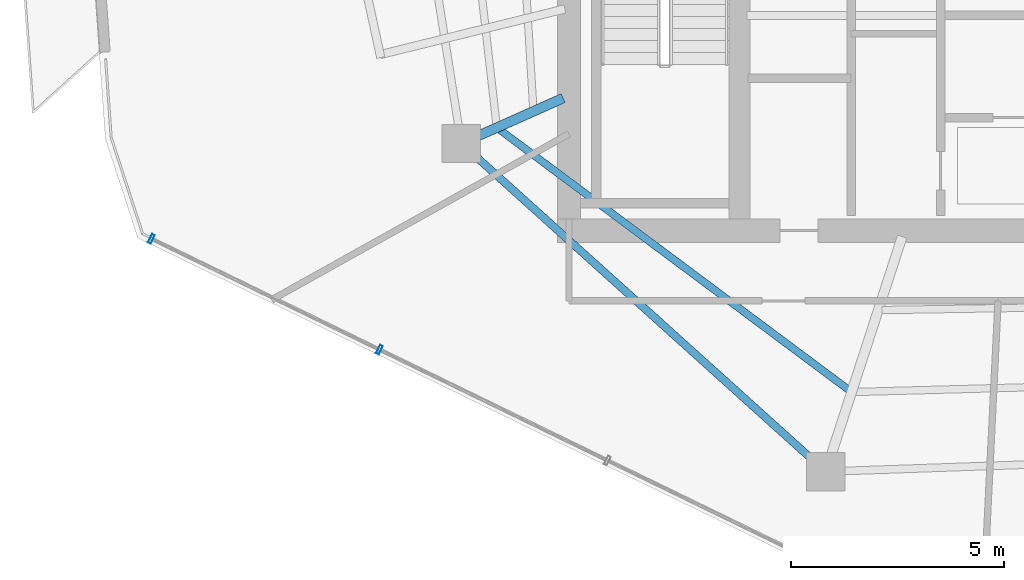
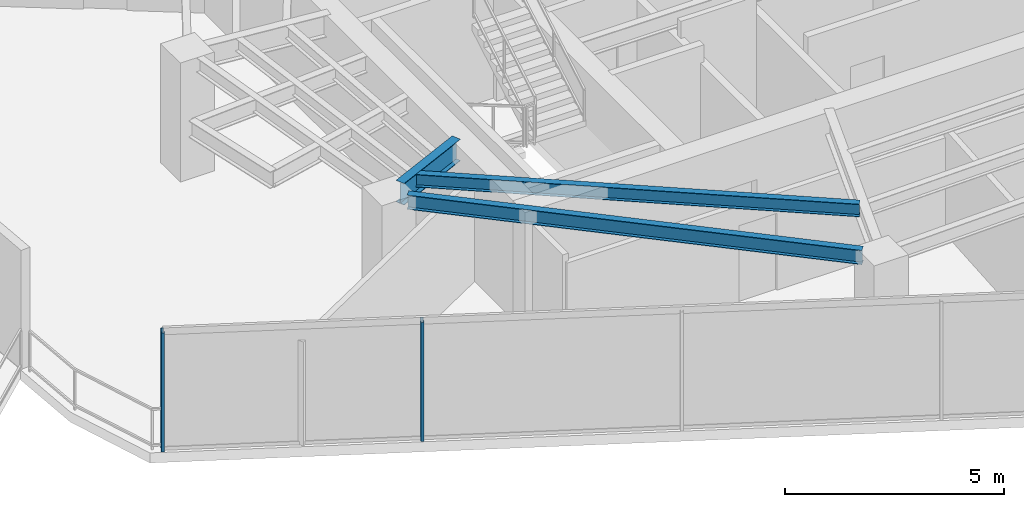
# One storey, part 4 of 20: 3 beams, 2 members, 1 element without a shape of its own.
"""IFC4 building model written with IfcOpenShell, lengths in metres."""

from ifc_helpers import new_model, si_unit, direction, frame, origin, origin_2d, place, context, subcontext, project, spatial, hollow_rectangle, i_section, extrude, material, layer, layer_set, material_profile, profile_set, type_object, element, aggregate, save


model = new_model("IFC4")

# Units and contexts
model_context = context("Model", 3, precision=1e-05, world=origin(), true_north=direction((0.0, 1.0)))
body_context = subcontext(model_context, "Body", "Model", "MODEL_VIEW")
ifc_project = project(units=[si_unit("LENGTHUNIT", "METRE"), si_unit("AREAUNIT", "SQUARE_METRE"), si_unit("VOLUMEUNIT", "CUBIC_METRE"), si_unit("PLANEANGLEUNIT", "RADIAN"), si_unit("MASSUNIT", "GRAM", prefix="KILO")], contexts=[model_context])

# Site, building, storey
site_placement = place(None, origin())
site = spatial("IfcSite", under=ifc_project, at=site_placement, CompositionType="ELEMENT")
building_placement = place(site_placement, origin())
building = spatial("IfcBuilding", under=site, at=building_placement, Name="Qarnah Convention Tower", CompositionType="ELEMENT")
storey_placement = place(building_placement, frame((0.0, 0.0, 195.0)))
storey = spatial("IfcBuildingStorey", under=building, at=storey_placement, Name="L52", CompositionType="ELEMENT", Elevation=195.0)

# Beams
ifc_material_1 = material(Name="Structural steel S355JR", Category="steel")
ifc_material_profile_1 = material_profile(ifc_material_1, i_section(OverallWidth=0.172119140625, OverallDepth=0.35595703125, WebThickness=0.007080078125, FlangeThickness=0.011962890625, at=origin_2d()), Name="W360X51")
ifc_profile_set_1 = profile_set([ifc_material_profile_1], Name="Structural steel S355JR")
beam_type_1 = type_object("IfcBeamType", Name="BM-JST-W360", PredefinedType="JOIST", material=ifc_profile_set_1)
beam_1_placement = place(storey_placement, frame((25.178955078125, 20.9619140625, 3.14208984375), z_axis=(0.801850688626, -0.597524454019, 0.0), x_axis=(0.597524454019, 0.801850688626, 0.0)))
element("IfcBeam", 1, at=beam_1_placement, inside=storey, type_object=beam_type_1, Name="L52 joist BM-L52-SJST-06", PredefinedType="JOIST", context=body_context, shape_type="SweptSolid", body=[
    extrude(i_section(OverallWidth=0.172119140625, OverallDepth=0.35595703125, WebThickness=0.007080078125, FlangeThickness=0.011962890625, at=origin_2d()), origin(), (0.0, 0.0, 1.0), 10.205322265625),
])
ifc_material_profile_2 = material_profile(ifc_material_1, i_section(OverallWidth=0.22802734375, OverallDepth=0.60791015625, WebThickness=0.010986328125, FlangeThickness=0.01708984375, at=origin_2d()), Name="W610X113")
ifc_profile_set_2 = profile_set([ifc_material_profile_2], Name="Structural steel S355JR")
beam_type_2 = type_object("IfcBeamType", Name="BM-RAD-W610B", PredefinedType="BEAM", material=ifc_profile_set_2)
beam_2_placement = place(storey_placement, frame((26.6630859375, 21.708984375, 3.01611328125), z_axis=(-0.913585734164, -0.406646168471, 0.0), x_axis=(0.406646168471, -0.913585734164, 0.0)))
element("IfcBeam", 2, at=beam_2_placement, inside=storey, type_object=beam_type_2, Name="L52 beam BM-L52-RAD-06", PredefinedType="BEAM", context=body_context, shape_type="SweptSolid", body=[
    extrude(i_section(OverallWidth=0.22802734375, OverallDepth=0.60791015625, WebThickness=0.010986328125, FlangeThickness=0.01708984375, at=origin_2d()), origin(), (0.0, 0.0, 1.0), 2.18603515625),
])
ifc_material_profile_3 = material_profile(ifc_material_1, i_section(OverallWidth=0.179931640625, OverallDepth=0.39990234375, WebThickness=0.009033203125, FlangeThickness=0.013916015625, at=origin_2d()), Name="IPE400")
ifc_profile_set_3 = profile_set([ifc_material_profile_3], Name="Structural steel S355JR")
beam_type_3 = type_object("IfcBeamType", Name="BM-SPN-IPE400", PredefinedType="SPANDREL", material=ifc_profile_set_3)
beam_3_placement = place(storey_placement, frame((24.60009765625, 20.35107421875, 3.1201171875), z_axis=(0.743102275255, -0.669177860147, 0.0), x_axis=(0.669177860147, 0.743102275255, 0.0)))
element("IfcBeam", 3, at=beam_3_placement, inside=storey, type_object=beam_type_3, Name="L52 spandrel BM-L52-SPN-06", PredefinedType="SPANDREL", context=body_context, shape_type="SweptSolid", body=[
    extrude(i_section(OverallWidth=0.179931640625, OverallDepth=0.39990234375, WebThickness=0.009033203125, FlangeThickness=0.013916015625, at=origin_2d()), origin(), (0.0, 0.0, 1.0), 10.630859375),
])

# Curtain wall, members
ifc_material_2 = material(Name="Tempered Low-E dark glass", Category="glass")
ifc_layer = layer(ifc_material_2, 0.174072265625)
ifc_layer_set = layer_set([ifc_layer], Name="Tempered Low-E dark glass")
curtain_wall_type = type_object("IfcCurtainWallType", Name="CWS-04", PredefinedType="NOTDEFINED", material=ifc_layer_set)
curtain_wall_placement = place(storey_placement, origin())
curtain_wall = element("IfcCurtainWall", 4, at=curtain_wall_placement, inside=storey, type_object=curtain_wall_type, Name="L52 unitised curtain wall CW-L52-F2", PredefinedType="NOTDEFINED")
ifc_material_3 = material(Name="Black anodised aluminium", Category="aluminium")
ifc_material_profile_4 = material_profile(ifc_material_3, hollow_rectangle(XDim=0.074951171875, YDim=0.219970703125, WallThickness=0.0048828125, at=origin_2d()), Name="MUL-75X220")
ifc_profile_set_4 = profile_set([ifc_material_profile_4], Name="Black anodised aluminium")
member_type = type_object("IfcMemberType", Name="MUL-T4", PredefinedType="MULLION", material=ifc_profile_set_4)
member_1_placement = place(storey_placement, frame((22.3515625, 15.803955078125, 0.0), z_axis=(0.0, 0.0, 1.0), x_axis=(-0.899399056639, 0.437128513044, 0.0)))
member_1 = element("IfcMember", 5, at=member_1_placement, type_object=member_type, Name="CW-L52-F2 mullion 5", PredefinedType="MULLION", context=body_context, shape_type="SweptSolid", body=[
    extrude(hollow_rectangle(XDim=0.074951171875, YDim=0.219970703125, WallThickness=0.0048828125, at=origin_2d()), origin(), (0.0, 0.0, 1.0), 3.320068359375),
])
member_2_placement = place(storey_placement, frame((17.0, 18.405029296875, 0.0), z_axis=(0.0, 0.0, 1.0), x_axis=(-0.899399056639, 0.437128513044, 0.0)))
member_2 = element("IfcMember", 6, at=member_2_placement, type_object=member_type, Name="CW-L52-F2 mullion 6", PredefinedType="MULLION", context=body_context, shape_type="SweptSolid", body=[
    extrude(hollow_rectangle(XDim=0.074951171875, YDim=0.219970703125, WallThickness=0.0048828125, at=origin_2d()), origin(), (0.0, 0.0, 1.0), 3.320068359375),
])
aggregate(curtain_wall, [member_1, member_2])

save(model, "model.ifc")
